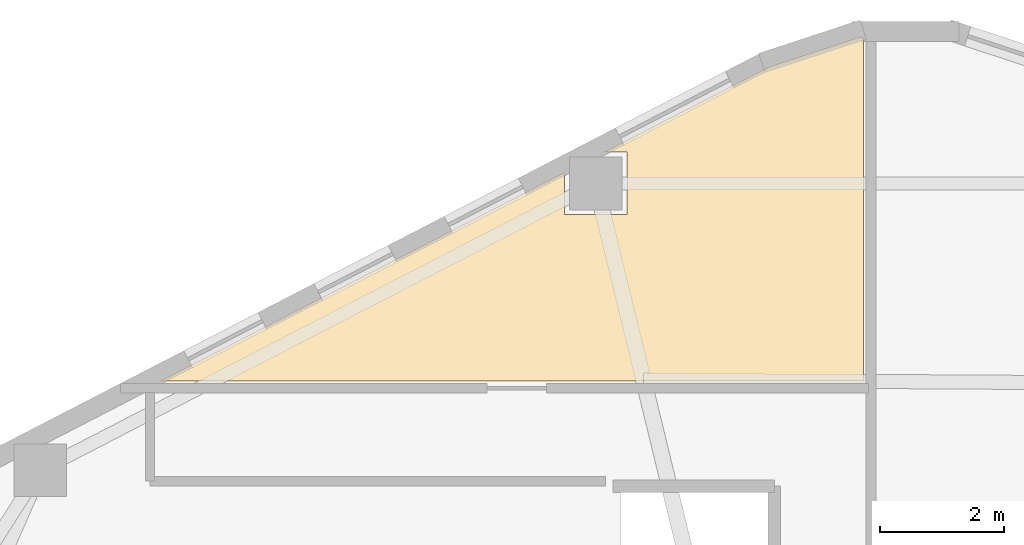
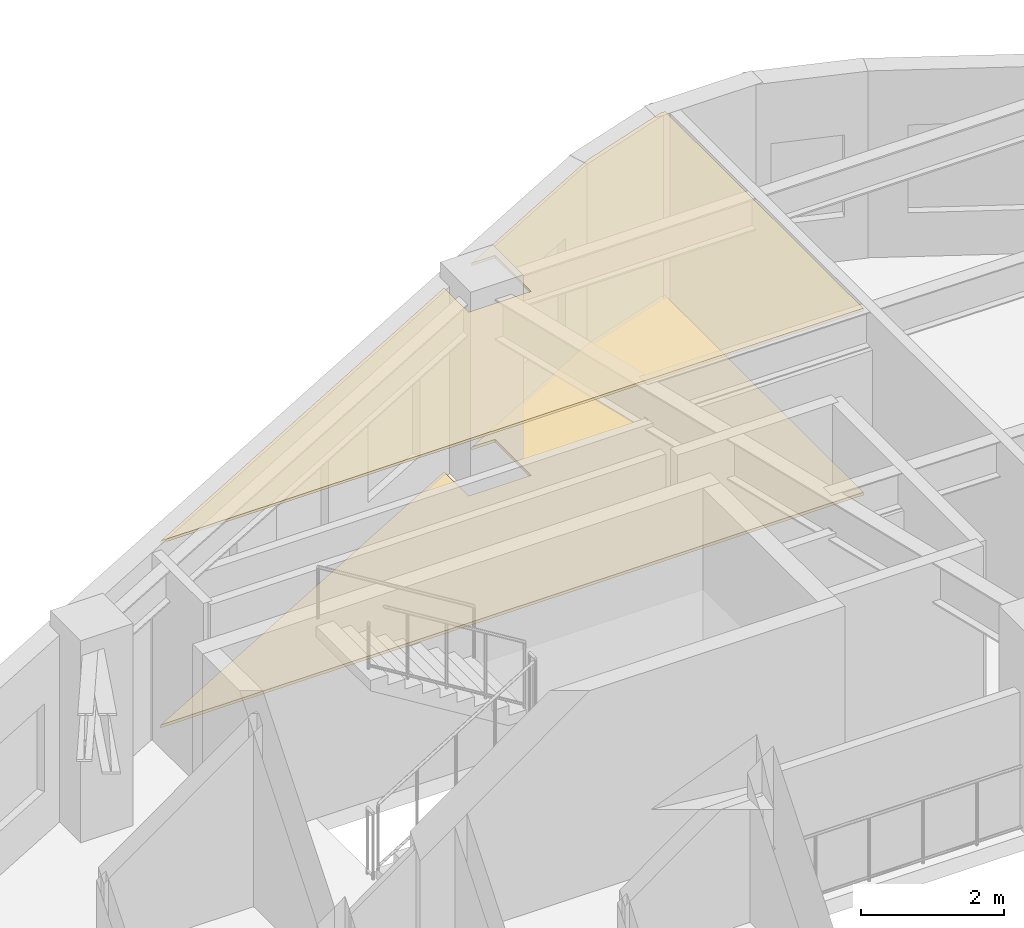
# One storey, part 7 of 7: 2 coverings.
"""IFC4 building model written with IfcOpenShell, lengths in metres."""

from ifc_helpers import new_model, si_unit, direction, frame, origin, place, context, subcontext, project, spatial, polyline, outline, extrude, material, layer, layer_set, type_object, element, save


model = new_model("IFC4")

# Units and contexts
model_context = context("Model", 3, precision=1e-05, world=origin(), true_north=direction((0.0, 1.0)))
body_context = subcontext(model_context, "Body", "Model", "MODEL_VIEW")
ifc_project = project(units=[si_unit("LENGTHUNIT", "METRE"), si_unit("AREAUNIT", "SQUARE_METRE"), si_unit("VOLUMEUNIT", "CUBIC_METRE"), si_unit("PLANEANGLEUNIT", "RADIAN"), si_unit("MASSUNIT", "GRAM", prefix="KILO"), si_unit("THERMODYNAMICTEMPERATUREUNIT", "KELVIN"), si_unit("POWERUNIT", "WATT")], contexts=[model_context])

# Site, building, storey
site_placement = place(None, origin())
site = spatial("IfcSite", under=ifc_project, at=site_placement, CompositionType="ELEMENT")
building_placement = place(site_placement, origin())
building = spatial("IfcBuilding", under=site, at=building_placement, Name="Skarre Station Tower", CompositionType="ELEMENT")
storey_placement = place(building_placement, frame((0.0, 0.0, 213.699951171875)))
storey = spatial("IfcBuildingStorey", under=building, at=storey_placement, Name="L58", CompositionType="ELEMENT", Elevation=213.699951171875)

# Coverings
ifc_material_1 = material(Name="Honed Jura Limestone & Calcium-Sulfate Access Tile", Category="masonry")
ifc_layer_1 = layer(ifc_material_1, 0.050048828125, Name="Honed Jura Limestone & Calcium-Sulfate Access Tile")
ifc_layer_set_1 = layer_set([ifc_layer_1], Name="Honed Jura Limestone & Calcium-Sulfate Access Tile")
covering_type_1 = type_object("IfcCoveringType", Name="Honed Limestone & Raised Access Floor Finish 50", PredefinedType="FLOORING", material=ifc_layer_set_1)
covering_1_placement = place(storey_placement, origin())
element("IfcCovering", 1, at=covering_1_placement, inside=storey, type_object=covering_type_1, Name="L58 Limestone Access Flooring 1", PredefinedType="FLOORING", context=body_context, shape_type="SweptSolid", body=[
    extrude(outline(polyline([(33.919921875, 43.24609375), (33.845947265625, 43.24609375), (32.39208984375, 42.76806640625), (29.72705078125, 41.39306640625), (30.10302734375, 41.39306640625), (30.10302734375, 40.383056640625), (29.093017578125, 40.383056640625), (29.093017578125, 41.06591796875), (22.571044921875, 37.699951171875), (33.919921875, 37.699951171875), (33.919921875, 43.24609375)])), origin(), (0.0, 0.0, 1.0), 0.050048828125),
])
ifc_material_2 = material(Name="Perforated Nordic Birch Veneer & Mineral Wool", Category="wood")
ifc_layer_2 = layer(ifc_material_2, 0.044921875, Name="Perforated Nordic Birch Veneer & Mineral Wool")
ifc_layer_set_2 = layer_set([ifc_layer_2], Name="Perforated Nordic Birch Veneer & Mineral Wool")
covering_type_2 = type_object("IfcCoveringType", Name="Nordic Birch Slatted Acoustic Suspended Ceiling 45", PredefinedType="CEILING", material=ifc_layer_set_2)
covering_2_placement = place(storey_placement, frame((0.0, 0.0, 3.14501953125)))
element("IfcCovering", 2, at=covering_2_placement, inside=storey, type_object=covering_type_2, Name="L58 Acoustic Birch Ceiling 1", PredefinedType="CEILING", context=body_context, shape_type="SweptSolid", body=[
    extrude(outline(polyline([(33.919921875, 43.24609375), (33.845947265625, 43.24609375), (32.39208984375, 42.76806640625), (29.72705078125, 41.39306640625), (30.10302734375, 41.39306640625), (30.10302734375, 40.383056640625), (29.093017578125, 40.383056640625), (29.093017578125, 41.06591796875), (22.571044921875, 37.699951171875), (33.919921875, 37.699951171875), (33.919921875, 43.24609375)])), origin(), (0.0, 0.0, 1.0), 0.044921875),
])

save(model, "model.ifc")
